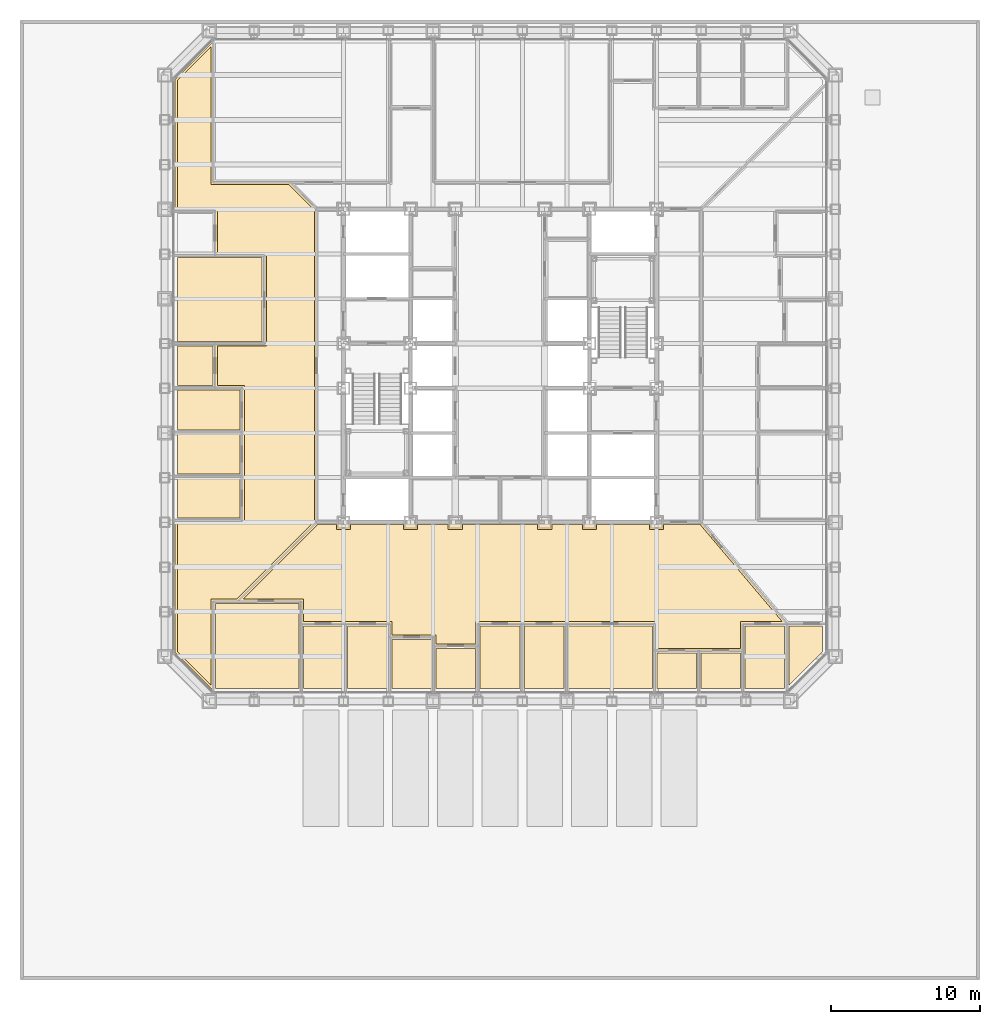
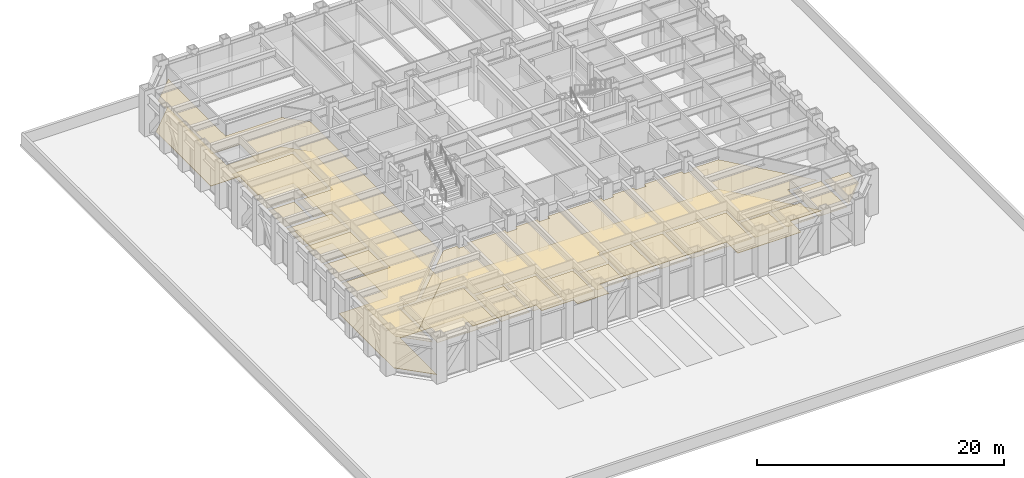
# One storey, part 16 of 18: 21 coverings.
"""IFC4 building model written with IfcOpenShell, lengths in metres."""

import ifcopenshell
import ifcopenshell.guid

model = None  # the IFC model being written
_history = None  # IfcOwnerHistory: only IFC2X3 demands one
_inside = {}  # id of a spatial element -> (the spatial element, [elements in it])
_under = {}  # id of a project, library or spatial element -> (it, [spatial elements below it])
_declared = {}  # id of a project -> (the project, [libraries it declares])
_typed = {}  # id of a type object -> (the type object, [elements of that type])
_made_of = {}  # id of a material, layer set ... -> (it, [elements and type objects made of it])


def new_model(schema):
    """Start an empty IFC model of exactly this schema.

    Asked for "IFC4X3", IfcOpenShell would pick the latest addendum, in which some entities
    have other attributes; the version numbers below select the first issue.
    IFC2X3 requires an IfcOwnerHistory on every rooted entity: one is made here for all.
    """
    global model, _history
    if schema == "IFC4X3":
        model = ifcopenshell.file(schema_version=(4, 3, 0, 0))
    else:
        model = ifcopenshell.file(schema=schema)
    _inside.clear()
    _under.clear()
    _declared.clear()
    _typed.clear()
    _made_of.clear()
    _history = None
    if model.schema == "IFC2X3":
        org = make("IfcOrganization", Name="unknown")
        user = make(
            "IfcPersonAndOrganization",
            ThePerson=make("IfcPerson", FamilyName="unknown"),
            TheOrganization=org,
        )
        app = make(
            "IfcApplication",
            ApplicationDeveloper=org,
            Version="unknown",
            ApplicationFullName="unknown",
            ApplicationIdentifier="unknown",
        )
        _history = make(
            "IfcOwnerHistory",
            OwningUser=user,
            OwningApplication=app,
            ChangeAction="ADDED",
            CreationDate=0,
        )
    return model


def make(cls, **values):
    """One entity of the class cls with the attributes given. An attribute that is None is left unset."""
    return model.create_entity(
        cls, **{name: value for name, value in values.items() if value is not None}
    )


def rooted(cls, **values):
    """An entity with a GlobalId (a new one), such as an element, a storey or a relation."""
    return make(cls, GlobalId=ifcopenshell.guid.new(), OwnerHistory=_history, **values)


def si_unit(unit_type, name, prefix=None):
    """IfcSIUnit, for example si_unit("LENGTHUNIT", "METRE", prefix="MILLI")."""
    return make("IfcSIUnit", UnitType=unit_type, Prefix=prefix, Name=name)


def assignment(units):
    """IfcUnitAssignment: the units of a project."""
    return None if units is None else make("IfcUnitAssignment", Units=units)


def point(xyz):
    """IfcCartesianPoint."""
    return None if xyz is None else make("IfcCartesianPoint", Coordinates=xyz)


def direction(xyz):
    """IfcDirection."""
    return None if xyz is None else make("IfcDirection", DirectionRatios=xyz)


def frame(location, z_axis=None, x_axis=None):
    """IfcAxis2Placement3D, a coordinate frame: its origin and axes. An axis left out is left unset."""
    return make(
        "IfcAxis2Placement3D",
        Location=point(location),
        Axis=direction(z_axis),
        RefDirection=direction(x_axis),
    )


def origin():
    """The frame at (0, 0, 0) with its axes left unset."""
    return frame((0.0, 0.0, 0.0))


def place(relative_to, where):
    """IfcLocalPlacement: puts the frame where relative to a parent placement (None: the world)."""
    return make(
        "IfcLocalPlacement", PlacementRelTo=relative_to, RelativePlacement=where
    )


def context(
    kind, dimensions, precision=None, world=None, true_north=None, identifier=None
):
    """IfcGeometricRepresentationContext, for example the 3D "Model" context."""
    return make(
        "IfcGeometricRepresentationContext",
        ContextIdentifier=identifier,
        ContextType=kind,
        CoordinateSpaceDimension=dimensions,
        Precision=precision,
        WorldCoordinateSystem=world,
        TrueNorth=true_north,
    )


def subcontext(parent, identifier, kind, view, scale=None):
    """IfcGeometricRepresentationSubContext, for example "Body" below "Model"."""
    return make(
        "IfcGeometricRepresentationSubContext",
        ContextIdentifier=identifier,
        ContextType=kind,
        ParentContext=parent,
        TargetScale=scale,
        TargetView=view,
    )


def project(units=None, contexts=None):
    """IfcProject with its units and contexts."""
    return rooted(
        "IfcProject",
        Name="project",
        RepresentationContexts=contexts,
        UnitsInContext=assignment(units),
    )


def spatial(cls, under=None, at=None, **own):
    """A site, building, storey or space (cls), placed at a placement, below another one or the project."""
    s = rooted(cls, ObjectPlacement=at, **own)
    if under is not None:
        _under.setdefault(under.id(), (under, []))[1].append(s)
    return s


def polyline(points):
    """IfcPolyline through the points."""
    return make("IfcPolyline", Points=[point(p) for p in points])


def outline(outer, holes=None, kind="AREA"):
    """IfcArbitraryClosedProfileDef: a profile drawn as a closed curve; with holes, ...WithVoids."""
    if holes is None:
        return make("IfcArbitraryClosedProfileDef", ProfileType=kind, OuterCurve=outer)
    return make(
        "IfcArbitraryProfileDefWithVoids",
        ProfileType=kind,
        OuterCurve=outer,
        InnerCurves=holes,
    )


def extrude(swept, where, along, depth):
    """IfcExtrudedAreaSolid: the profile swept, set in the frame where, extruded along a direction by depth."""
    return make(
        "IfcExtrudedAreaSolid",
        SweptArea=swept,
        Position=where,
        ExtrudedDirection=direction(along),
        Depth=depth,
    )


def shape(context_of_items, identifier, shape_type, items):
    """IfcShapeRepresentation: the items that make up one representation, for example the "Body"."""
    return make(
        "IfcShapeRepresentation",
        ContextOfItems=context_of_items,
        RepresentationIdentifier=identifier,
        RepresentationType=shape_type,
        Items=items,
    )


def material(Name=None, Category=None):
    """IfcMaterial."""
    return make("IfcMaterial", Name=Name, Category=Category)


def layer(
    of_material, thickness, ventilated=None, Name=None, Category=None, Priority=None
):
    """IfcMaterialLayer: one layer of a wall or slab, of a material (None: an air gap)."""
    return make(
        "IfcMaterialLayer",
        Material=of_material,
        LayerThickness=thickness,
        IsVentilated=ventilated,
        Name=Name,
        Category=Category,
        Priority=Priority,
    )


def layer_set(layers, Name=None):
    """IfcMaterialLayerSet."""
    return make("IfcMaterialLayerSet", MaterialLayers=layers, LayerSetName=Name)


def made_of(thing, what):
    """Note that an element or type object is made of a material, layer set ...; save() writes the relation."""
    if what is not None:
        _made_of.setdefault(what.id(), (what, []))[1].append(thing)
    return thing


def type_object(cls, material=None, **own):
    """A type object (cls), such as IfcWallType, which elements share."""
    return made_of(rooted(cls, **own), material)


def element(
    cls,
    number,
    at=None,
    inside=None,
    cuts=None,
    type_object=None,
    material=None,
    context=None,
    identifier="Body",
    shape_type=None,
    held_by="IfcProductDefinitionShape",
    body=None,
    shapes=None,
    **own,
):
    """One element of the class cls, such as IfcWall. Its Tag is "e" and its number.

    at: its placement. inside: the storey or other place that contains it. cuts: it is an
    opening in that element (IfcRelVoidsElement). A single representation is given by context,
    identifier, shape_type and body (its items); several are given by shapes. held_by: the class
    of the entity that holds the representations. save() writes the other relations.
    """
    e = rooted(cls, Tag="e%d" % number, ObjectPlacement=at, **own)
    if body is not None:
        shapes = [shape(context, identifier, shape_type, body)]
    if shapes is not None:
        e.Representation = make(held_by, Representations=shapes)
    if inside is not None:
        _inside.setdefault(inside.id(), (inside, []))[1].append(e)
    if cuts is not None:
        rooted(
            "IfcRelVoidsElement", RelatingBuildingElement=cuts, RelatedOpeningElement=e
        )
    if type_object is not None:
        _typed.setdefault(type_object.id(), (type_object, []))[1].append(e)
    return made_of(e, material)


def aggregate(whole, parts):
    """IfcRelAggregates: a whole, such as a stair, and the parts it consists of."""
    return rooted("IfcRelAggregates", RelatingObject=whole, RelatedObjects=parts)


def save(model, path):
    """Write the relations noted so far, then the file.

    IfcRelAggregates (storeys below a building ...), IfcRelContainedInSpatialStructure (elements
    in a storey), IfcRelDefinesByType, IfcRelAssociatesMaterial and IfcRelDeclares: one each for
    every whole, place, type object, material and project.
    """
    for whole, parts in _under.values():
        aggregate(whole, parts)
    for where, things in _inside.values():
        rooted(
            "IfcRelContainedInSpatialStructure",
            RelatedElements=things,
            RelatingStructure=where,
        )
    for kind, things in _typed.values():
        rooted("IfcRelDefinesByType", RelatedObjects=things, RelatingType=kind)
    for what, things in _made_of.values():
        rooted("IfcRelAssociatesMaterial", RelatedObjects=things, RelatingMaterial=what)
    for by, libraries in _declared.values():
        rooted("IfcRelDeclares", RelatingContext=by, RelatedDefinitions=libraries)
    model.write(path)


model = new_model("IFC4")

# Units and contexts
model_context = context("Model", 3, precision=1e-05, world=origin(), true_north=direction((0.0, 1.0)))
body_context = subcontext(model_context, "Body", "Model", "MODEL_VIEW")
ifc_project = project(units=[si_unit("LENGTHUNIT", "METRE"), si_unit("AREAUNIT", "SQUARE_METRE"), si_unit("VOLUMEUNIT", "CUBIC_METRE"), si_unit("PLANEANGLEUNIT", "RADIAN"), si_unit("MASSUNIT", "GRAM", prefix="KILO")], contexts=[model_context])

# Site, building, storey
site_placement = place(None, origin())
site = spatial("IfcSite", under=ifc_project, at=site_placement, CompositionType="ELEMENT")
building_placement = place(site_placement, origin())
building = spatial("IfcBuilding", under=site, at=building_placement, Name="Chuquiago Exchange Tower", CompositionType="ELEMENT")
storey_placement = place(building_placement, frame((0.0, 0.0, 24.300048828125)))
storey = spatial("IfcBuildingStorey", under=building, at=storey_placement, Name="L04", CompositionType="ELEMENT", Elevation=24.300048828125)

# Coverings
ifc_material_1 = material(Name="Mineral fibre tile, 600 x 600, on pale metal grid", Category="mineral fibre")
ifc_layer_1 = layer(ifc_material_1, 0.02001953125)
ifc_layer_set_1 = layer_set([ifc_layer_1], Name="CL1 suspended tile ceiling 20")
covering_type_1 = type_object("IfcCoveringType", Name="CL1 suspended tile ceiling 20", PredefinedType="CEILING", material=ifc_layer_set_1)
covering_1_placement = place(storey_placement, frame((0.0, 0.0, 3.0)))
element("IfcCovering", 1, at=covering_1_placement, inside=storey, type_object=covering_type_1, Name="Ceiling Market data room", PredefinedType="CEILING", context=body_context, shape_type="SweptSolid", body=[
    extrude(outline(polyline([(3.3984375, 6.550048828125), (9.022216796875, 6.550048828125), (9.022216796875, 0.85009765625), (3.3984375, 0.85009765625), (3.3984375, 6.550048828125)])), origin(), (0.0, 0.0, 1.0), 0.02001953125),
])
covering_2_placement = place(storey_placement, frame((0.0, 0.0, 3.0)))
element("IfcCovering", 2, at=covering_2_placement, inside=storey, type_object=covering_type_1, Name="Ceiling Trading support room", PredefinedType="CEILING", context=body_context, shape_type="SweptSolid", body=[
    extrude(outline(polyline([(9.322021484375, 5.050048828125), (11.98388671875, 5.050048828125), (11.98388671875, 0.85009765625), (9.322021484375, 0.85009765625), (9.322021484375, 5.050048828125)])), origin(), (0.0, 0.0, 1.0), 0.02001953125),
])
covering_3_placement = place(storey_placement, frame((0.0, 0.0, 3.0)))
element("IfcCovering", 3, at=covering_3_placement, inside=storey, type_object=covering_type_1, Name="Ceiling Trading support room", PredefinedType="CEILING", context=body_context, shape_type="SweptSolid", body=[
    extrude(outline(polyline([(12.28369140625, 5.050048828125), (14.945556640625, 5.050048828125), (14.945556640625, 0.85009765625), (12.28369140625, 0.85009765625), (12.28369140625, 5.050048828125)])), origin(), (0.0, 0.0, 1.0), 0.02001953125),
])
covering_4_placement = place(storey_placement, frame((0.0, 0.0, 3.0)))
element("IfcCovering", 4, at=covering_4_placement, inside=storey, type_object=covering_type_1, Name="Ceiling Comms room", PredefinedType="CEILING", context=body_context, shape_type="SweptSolid", body=[
    extrude(outline(polyline([(15.24560546875, 4.14990234375), (17.907470703125, 4.14990234375), (17.907470703125, 0.85009765625), (15.24560546875, 0.85009765625), (15.24560546875, 4.14990234375)])), origin(), (0.0, 0.0, 1.0), 0.02001953125),
])
covering_5_placement = place(storey_placement, frame((0.0, 0.0, 3.0)))
element("IfcCovering", 5, at=covering_5_placement, inside=storey, type_object=covering_type_1, Name="Ceiling Store", PredefinedType="CEILING", context=body_context, shape_type="SweptSolid", body=[
    extrude(outline(polyline([(18.20751953125, 3.550048828125), (20.869140625, 3.550048828125), (20.869140625, 0.85009765625), (18.20751953125, 0.85009765625), (18.20751953125, 3.550048828125)])), origin(), (0.0, 0.0, 1.0), 0.02001953125),
])
covering_6_placement = place(storey_placement, frame((0.0, 0.0, 3.0)))
element("IfcCovering", 6, at=covering_6_placement, inside=storey, type_object=covering_type_1, Name="Ceiling Office", PredefinedType="CEILING", context=body_context, shape_type="SweptSolid", body=[
    extrude(outline(polyline([(21.169189453125, 5.050048828125), (23.830810546875, 5.050048828125), (23.830810546875, 0.85009765625), (21.169189453125, 0.85009765625), (21.169189453125, 5.050048828125)])), origin(), (0.0, 0.0, 1.0), 0.02001953125),
])
covering_7_placement = place(storey_placement, frame((0.0, 0.0, 3.0)))
element("IfcCovering", 7, at=covering_7_placement, inside=storey, type_object=covering_type_1, Name="Ceiling Office", PredefinedType="CEILING", context=body_context, shape_type="SweptSolid", body=[
    extrude(outline(polyline([(24.130859375, 5.050048828125), (26.79248046875, 5.050048828125), (26.79248046875, 0.85009765625), (24.130859375, 0.85009765625), (24.130859375, 5.050048828125)])), origin(), (0.0, 0.0, 1.0), 0.02001953125),
])
covering_8_placement = place(storey_placement, frame((0.0, 0.0, 3.0)))
element("IfcCovering", 8, at=covering_8_placement, inside=storey, type_object=covering_type_1, Name="Ceiling Meeting room", PredefinedType="CEILING", context=body_context, shape_type="SweptSolid", body=[
    extrude(outline(polyline([(27.092529296875, 5.050048828125), (32.71630859375, 5.050048828125), (32.71630859375, 0.85009765625), (27.092529296875, 0.85009765625), (27.092529296875, 5.050048828125)])), origin(), (0.0, 0.0, 1.0), 0.02001953125),
])
covering_9_placement = place(storey_placement, frame((0.0, 0.0, 3.0)))
element("IfcCovering", 9, at=covering_9_placement, inside=storey, type_object=covering_type_1, Name="Ceiling Focus room", PredefinedType="CEILING", context=body_context, shape_type="SweptSolid", body=[
    extrude(outline(polyline([(33.01611328125, 3.25), (35.677978515625, 3.25), (35.677978515625, 0.85009765625), (33.01611328125, 0.85009765625), (33.01611328125, 3.25)])), origin(), (0.0, 0.0, 1.0), 0.02001953125),
])
covering_10_placement = place(storey_placement, frame((0.0, 0.0, 3.0)))
element("IfcCovering", 10, at=covering_10_placement, inside=storey, type_object=covering_type_1, Name="Ceiling Focus room", PredefinedType="CEILING", context=body_context, shape_type="SweptSolid", body=[
    extrude(outline(polyline([(35.977783203125, 3.25), (38.6396484375, 3.25), (38.6396484375, 0.85009765625), (35.977783203125, 0.85009765625), (35.977783203125, 3.25)])), origin(), (0.0, 0.0, 1.0), 0.02001953125),
])
covering_11_placement = place(storey_placement, frame((0.0, 0.0, 3.0)))
element("IfcCovering", 11, at=covering_11_placement, inside=storey, type_object=covering_type_1, Name="Ceiling Office", PredefinedType="CEILING", context=body_context, shape_type="SweptSolid", body=[
    extrude(outline(polyline([(38.939697265625, 0.85009765625), (38.939697265625, 5.050048828125), (41.6015625, 5.050048828125), (41.6015625, 0.85009765625), (38.939697265625, 0.85009765625)])), origin(), (0.0, 0.0, 1.0), 0.02001953125),
])
covering_12_placement = place(storey_placement, frame((0.0, 0.0, 3.0)))
element("IfcCovering", 12, at=covering_12_placement, inside=storey, type_object=covering_type_1, Name="Ceiling Office", PredefinedType="CEILING", context=body_context, shape_type="SweptSolid", body=[
    extrude(outline(polyline([(41.901611328125, 1.103515625), (41.901611328125, 5.050048828125), (44.14990234375, 5.050048828125), (44.14990234375, 3.35205078125), (41.901611328125, 1.103515625)])), origin(), (0.0, 0.0, 1.0), 0.02001953125),
])
covering_13_placement = place(storey_placement, frame((0.0, 0.0, 3.0)))
element("IfcCovering", 13, at=covering_13_placement, inside=storey, type_object=covering_type_1, Name="Ceiling Office", PredefinedType="CEILING", context=body_context, shape_type="SweptSolid", body=[
    extrude(outline(polyline([(5.050048828125, 14.945556640625), (5.050048828125, 12.28369140625), (0.85009765625, 12.28369140625), (0.85009765625, 14.945556640625), (5.050048828125, 14.945556640625)])), origin(), (0.0, 0.0, 1.0), 0.02001953125),
])
covering_14_placement = place(storey_placement, frame((0.0, 0.0, 3.0)))
element("IfcCovering", 14, at=covering_14_placement, inside=storey, type_object=covering_type_1, Name="Ceiling Office", PredefinedType="CEILING", context=body_context, shape_type="SweptSolid", body=[
    extrude(outline(polyline([(5.050048828125, 17.907470703125), (5.050048828125, 15.24560546875), (0.85009765625, 15.24560546875), (0.85009765625, 17.907470703125), (5.050048828125, 17.907470703125)])), origin(), (0.0, 0.0, 1.0), 0.02001953125),
])
covering_15_placement = place(storey_placement, frame((0.0, 0.0, 3.0)))
element("IfcCovering", 15, at=covering_15_placement, inside=storey, type_object=covering_type_1, Name="Ceiling Office", PredefinedType="CEILING", context=body_context, shape_type="SweptSolid", body=[
    extrude(outline(polyline([(5.050048828125, 20.869140625), (5.050048828125, 18.20751953125), (0.85009765625, 18.20751953125), (0.85009765625, 20.869140625), (5.050048828125, 20.869140625)])), origin(), (0.0, 0.0, 1.0), 0.02001953125),
])
covering_16_placement = place(storey_placement, frame((0.0, 0.0, 3.0)))
element("IfcCovering", 16, at=covering_16_placement, inside=storey, type_object=covering_type_1, Name="Ceiling Focus room", PredefinedType="CEILING", context=body_context, shape_type="SweptSolid", body=[
    extrude(outline(polyline([(3.25, 23.830810546875), (3.25, 21.169189453125), (0.85009765625, 21.169189453125), (0.85009765625, 23.830810546875), (3.25, 23.830810546875)])), origin(), (0.0, 0.0, 1.0), 0.02001953125),
])
covering_17_placement = place(storey_placement, frame((0.0, 0.0, 3.0)))
element("IfcCovering", 17, at=covering_17_placement, inside=storey, type_object=covering_type_1, Name="Ceiling Risk management office", PredefinedType="CEILING", context=body_context, shape_type="SweptSolid", body=[
    extrude(outline(polyline([(6.550048828125, 29.75439453125), (6.550048828125, 24.130859375), (0.85009765625, 24.130859375), (0.85009765625, 29.75439453125), (6.550048828125, 29.75439453125)])), origin(), (0.0, 0.0, 1.0), 0.02001953125),
])
covering_18_placement = place(storey_placement, frame((0.0, 0.0, 3.0)))
element("IfcCovering", 18, at=covering_18_placement, inside=storey, type_object=covering_type_1, Name="Ceiling Trading floor south", PredefinedType="CEILING", context=body_context, shape_type="SweptSolid", body=[
    extrude(outline(polyline([(38.6396484375, 3.550048828125), (33.01611328125, 3.550048828125), (33.01611328125, 5.35009765625), (20.869140625, 5.35009765625), (20.869140625, 3.85009765625), (18.20751953125, 3.85009765625), (18.20751953125, 4.449951171875), (15.24560546875, 4.449951171875), (15.24560546875, 5.35009765625), (9.322021484375, 5.35009765625), (9.322021484375, 6.85009765625), (5.2626953125, 6.85009765625), (10.2626953125, 11.85009765625), (11.52490234375, 11.85009765625), (11.52490234375, 11.52490234375), (12.47509765625, 11.52490234375), (12.47509765625, 11.85009765625), (16.02490234375, 11.85009765625), (16.02490234375, 11.52490234375), (16.97509765625, 11.52490234375), (16.97509765625, 11.85009765625), (19.02490234375, 11.85009765625), (19.02490234375, 11.52490234375), (19.97509765625, 11.52490234375), (19.97509765625, 11.85009765625), (25.02490234375, 11.85009765625), (25.02490234375, 11.52490234375), (25.97509765625, 11.52490234375), (25.97509765625, 11.85009765625), (28.02490234375, 11.85009765625), (28.02490234375, 11.52490234375), (28.97509765625, 11.52490234375), (28.97509765625, 11.85009765625), (32.52490234375, 11.85009765625), (32.52490234375, 11.52490234375), (33.47509765625, 11.52490234375), (33.47509765625, 11.85009765625), (35.929931640625, 11.85009765625), (41.427490234375, 5.35009765625), (38.6396484375, 5.35009765625), (38.6396484375, 3.550048828125)])), origin(), (0.0, 0.0, 1.0), 0.02001953125),
])
covering_19_placement = place(storey_placement, frame((0.0, 0.0, 3.0)))
element("IfcCovering", 19, at=covering_19_placement, inside=storey, type_object=covering_type_1, Name="Ceiling Trading floor west", PredefinedType="CEILING", context=body_context, shape_type="SweptSolid", body=[
    extrude(outline(polyline([(3.098388671875, 34.64990234375), (8.337158203125, 34.64990234375), (10.050048828125, 32.9375), (10.050048828125, 12.0625), (4.837158203125, 6.85009765625), (3.098388671875, 6.85009765625), (3.098388671875, 1.103515625), (0.85009765625, 3.35205078125), (0.85009765625, 11.98388671875), (5.35009765625, 11.98388671875), (5.35009765625, 21.169189453125), (3.550048828125, 21.169189453125), (3.550048828125, 23.830810546875), (6.85009765625, 23.830810546875), (6.85009765625, 30.054443359375), (3.550048828125, 30.054443359375), (3.550048828125, 33.01611328125), (0.85009765625, 33.01611328125), (0.85009765625, 41.64794921875), (3.098388671875, 43.896484375), (3.098388671875, 34.64990234375)])), origin(), (0.0, 0.0, 1.0), 0.02001953125),
])
ifc_material_2 = material(Name="Steel raised floor panel", Category="steel")
ifc_layer_2 = layer(ifc_material_2, 0.0400390625)
ifc_layer_set_2 = layer_set([ifc_layer_2], Name="RF1 raised access floor 40")
covering_type_2 = type_object("IfcCoveringType", Name="RF1 raised access floor 40", PredefinedType="FLOORING", material=ifc_layer_set_2)
covering_20_placement = place(storey_placement, frame((0.0, 0.0, -0.0400390625)))
element("IfcCovering", 20, at=covering_20_placement, inside=storey, type_object=covering_type_2, Name="Raised access floor Trading floor south", PredefinedType="FLOORING", context=body_context, shape_type="SweptSolid", body=[
    extrude(outline(polyline([(38.789794921875, 5.199951171875), (38.789794921875, 3.39990234375), (32.8662109375, 3.39990234375), (32.8662109375, 5.199951171875), (21.01904296875, 5.199951171875), (21.01904296875, 3.699951171875), (18.057373046875, 3.699951171875), (18.057373046875, 4.300048828125), (15.095703125, 4.300048828125), (15.095703125, 5.199951171875), (9.172119140625, 5.199951171875), (9.172119140625, 6.699951171875), (4.900634765625, 6.699951171875), (10.200439453125, 12.0), (35.99951171875, 12.0), (41.750732421875, 5.199951171875), (38.789794921875, 5.199951171875)])), origin(), (0.0, 0.0, 1.0), 0.0400390625),
])
covering_21_placement = place(storey_placement, frame((0.0, 0.0, -0.0400390625)))
element("IfcCovering", 21, at=covering_21_placement, inside=storey, type_object=covering_type_2, Name="Raised access floor Trading floor west", PredefinedType="FLOORING", context=body_context, shape_type="SweptSolid", body=[
    extrude(outline(polyline([(5.199951171875, 12.1337890625), (5.199951171875, 21.01904296875), (3.39990234375, 21.01904296875), (3.39990234375, 23.98095703125), (6.699951171875, 23.98095703125), (6.699951171875, 29.904296875), (3.39990234375, 29.904296875), (3.39990234375, 32.8662109375), (0.699951171875, 32.8662109375), (0.699951171875, 41.710205078125), (3.289794921875, 44.300048828125), (3.24853515625, 44.258544921875), (3.24853515625, 34.800048828125), (8.3994140625, 34.800048828125), (10.199951171875, 32.99951171875), (10.199951171875, 12.00048828125), (4.8994140625, 6.699951171875), (3.24853515625, 6.699951171875), (3.24853515625, 0.741455078125), (0.699951171875, 3.289794921875), (0.699951171875, 12.1337890625), (5.199951171875, 12.1337890625)])), origin(), (0.0, 0.0, 1.0), 0.0400390625),
])

save(model, "model.ifc")
